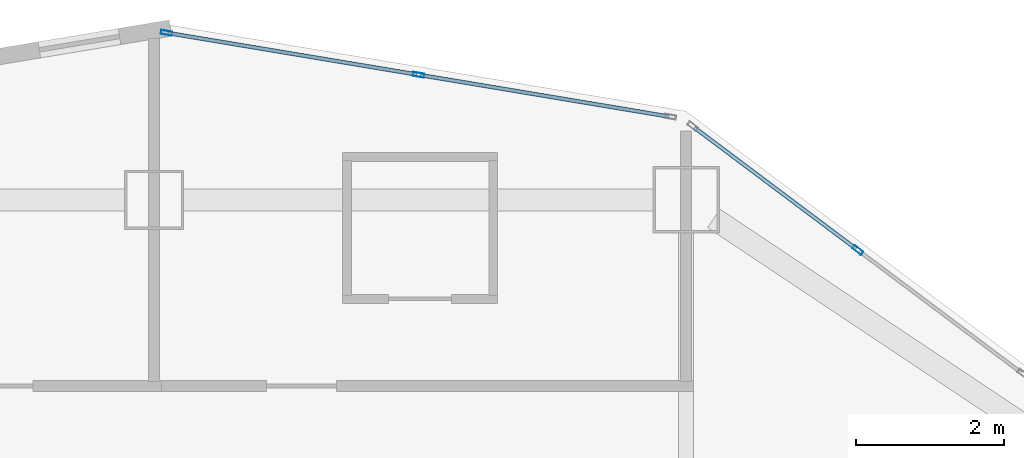
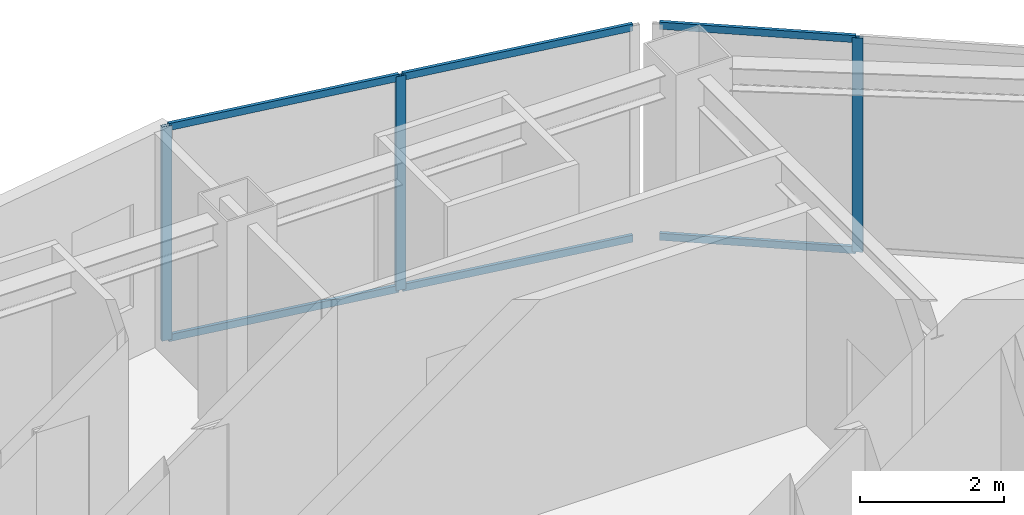
# One storey, part 2 of 11: 9 members, 2 elements without a shape of their own.
"""IFC4 building model written with IfcOpenShell, lengths in metres."""

from ifc_helpers import new_model, si_unit, direction, frame, origin, origin_2d, place, context, subcontext, project, spatial, hollow_rectangle, extrude, material, layer, layer_set, material_profile, profile_set, type_object, element, aggregate, save


model = new_model("IFC4")

# Units and contexts
model_context = context("Model", 3, precision=1e-05, world=origin(), true_north=direction((0.0, 1.0)))
body_context = subcontext(model_context, "Body", "Model", "MODEL_VIEW")
ifc_project = project(units=[si_unit("LENGTHUNIT", "METRE"), si_unit("AREAUNIT", "SQUARE_METRE"), si_unit("VOLUMEUNIT", "CUBIC_METRE"), si_unit("PLANEANGLEUNIT", "RADIAN"), si_unit("MASSUNIT", "GRAM", prefix="KILO")], contexts=[model_context])

# Site, building, storey
site_placement = place(None, origin())
site = spatial("IfcSite", under=ifc_project, at=site_placement, CompositionType="ELEMENT")
building_placement = place(site_placement, origin())
building = spatial("IfcBuilding", under=site, at=building_placement, Name="Haolan Belvedere Tower", CompositionType="ELEMENT")
storey_placement = place(building_placement, frame((0.0, 0.0, 191.800048828125)))
storey = spatial("IfcBuildingStorey", under=building, at=storey_placement, Name="L48", CompositionType="ELEMENT", Elevation=191.800048828125)

# Curtain wall, member
ifc_material_1 = material(Name="Anodised champagne-silver aluminium 6063-T6 and Low-E glass", Category="aluminium")
ifc_layer = layer(ifc_material_1, 0.14990234375, Name="Anodised champagne-silver aluminium 6063-T6 and Low-E glass")
ifc_layer_set = layer_set([ifc_layer], Name="Anodised champagne-silver aluminium 6063-T6 and Low-E glass")
curtain_wall_type = type_object("IfcCurtainWallType", Name="CW-SYS-04", PredefinedType="NOTDEFINED", material=ifc_layer_set)
curtain_wall_1_placement = place(storey_placement, origin())
curtain_wall_1 = element("IfcCurtainWall", 1, at=curtain_wall_1_placement, inside=storey, type_object=curtain_wall_type, Name="L48 CW-SYS-04 ribbon curtain wall 20.1", PredefinedType="NOTDEFINED")
ifc_material_2 = material(Name="Anodised aluminium 6063-T6", Category="aluminium")
ifc_material_profile_1 = material_profile(ifc_material_2, hollow_rectangle(XDim=0.055908203125, YDim=0.14990234375, WallThickness=0.00390625, at=origin_2d()), Name="Anodised aluminium 6063-T6")
ifc_profile_set_1 = profile_set([ifc_material_profile_1], Name="Anodised aluminium 6063-T6")
member_type_1 = type_object("IfcMemberType", Name="CW-SYS-04-MUL", PredefinedType="MULLION", material=ifc_profile_set_1)
member_1_placement = place(storey_placement, frame((47.9228515625, 49.720458984375, 0.0), z_axis=(0.0, 0.0, 1.0), x_axis=(-0.600002837806, -0.799997871638, 0.0)))
member_1 = element("IfcMember", 2, at=member_1_placement, type_object=member_type_1, Name="CW-04 mullion 2", PredefinedType="MULLION", context=body_context, shape_type="SweptSolid", body=[
    extrude(hollow_rectangle(XDim=0.055908203125, YDim=0.14990234375, WallThickness=0.00390625, at=origin_2d()), origin(), (0.0, 0.0, 1.0), 3.619873046875),
])

# Curtain wall, members
curtain_wall_2_placement = place(storey_placement, origin())
curtain_wall_2 = element("IfcCurtainWall", 3, at=curtain_wall_2_placement, inside=storey, type_object=curtain_wall_type, Name="L48 CW-SYS-04 ribbon curtain wall 21.1", PredefinedType="NOTDEFINED")
member_2_placement = place(storey_placement, frame((41.977783203125, 52.09228515625, 0.0), z_axis=(0.0, 0.0, 1.0), x_axis=(-0.164405962825, -0.98639276122, 0.0)))
member_2 = element("IfcMember", 4, at=member_2_placement, type_object=member_type_1, Name="CW-04 mullion 2", PredefinedType="MULLION", context=body_context, shape_type="SweptSolid", body=[
    extrude(hollow_rectangle(XDim=0.055908203125, YDim=0.14990234375, WallThickness=0.00390625, at=origin_2d()), origin(), (0.0, 0.0, 1.0), 3.619873046875),
])
member_3_placement = place(storey_placement, frame((38.565673828125, 52.660888671875, 0.0), z_axis=(0.0, 0.0, 1.0), x_axis=(-0.164405962825, -0.98639276122, 0.0)))
member_3 = element("IfcMember", 5, at=member_3_placement, type_object=member_type_1, Name="CW-04 mullion 3", PredefinedType="MULLION", context=body_context, shape_type="SweptSolid", body=[
    extrude(hollow_rectangle(XDim=0.055908203125, YDim=0.14990234375, WallThickness=0.00390625, at=origin_2d()), origin(), (0.0, 0.0, 1.0), 3.619873046875),
])

# Member
ifc_material_profile_2 = material_profile(ifc_material_2, hollow_rectangle(XDim=0.052001953125, YDim=0.1201171875, WallThickness=0.00390625, at=origin_2d()), Name="Anodised aluminium 6063-T6")
ifc_profile_set_2 = profile_set([ifc_material_profile_2], Name="Anodised aluminium 6063-T6")
member_type_2 = type_object("IfcMemberType", Name="CW-SYS-04-TRN", PredefinedType="USERDEFINED", material=ifc_profile_set_2)
member_4_placement = place(storey_placement, frame((47.900390625, 49.7373046875, 0.02587890625), z_axis=(-0.799978576274, 0.600028563905, 0.0), x_axis=(-0.600028563905, -0.799978576274, 0.0)))
member_4 = element("IfcMember", 6, at=member_4_placement, type_object=member_type_2, Name="CW-04 transom 2.1", ObjectType="TRANSOM", PredefinedType="USERDEFINED", context=body_context, shape_type="SweptSolid", body=[
    extrude(hollow_rectangle(XDim=0.052001953125, YDim=0.1201171875, WallThickness=0.00390625, at=origin_2d()), origin(), (0.0, 0.0, 1.0), 2.735107421875),
])

member_5_placement = place(storey_placement, frame((47.900390625, 49.7373046875, 3.593994140625), z_axis=(-0.799978576274, 0.600028563905, 0.0), x_axis=(-0.600028563905, -0.799978576274, 0.0)))
member_5 = element("IfcMember", 7, at=member_5_placement, type_object=member_type_2, Name="CW-04 transom 2.2", ObjectType="TRANSOM", PredefinedType="USERDEFINED", context=body_context, shape_type="SweptSolid", body=[
    extrude(hollow_rectangle(XDim=0.052001953125, YDim=0.1201171875, WallThickness=0.00390625, at=origin_2d()), origin(), (0.0, 0.0, 1.0), 2.735107421875),
])

aggregate(curtain_wall_1, [member_1, member_4, member_5])

member_6_placement = place(storey_placement, frame((45.362060546875, 51.528076171875, 0.02587890625), z_axis=(-0.986388106252, 0.164433888976, 0.0), x_axis=(-0.164433888976, -0.986388106252, 0.0)))
member_6 = element("IfcMember", 8, at=member_6_placement, type_object=member_type_2, Name="CW-04 transom 1.1", ObjectType="TRANSOM", PredefinedType="USERDEFINED", context=body_context, shape_type="SweptSolid", body=[
    extrude(hollow_rectangle(XDim=0.052001953125, YDim=0.1201171875, WallThickness=0.00390625, at=origin_2d()), origin(), (0.0, 0.0, 1.0), 3.403076171875),
])

member_7_placement = place(storey_placement, frame((45.362060546875, 51.528076171875, 3.593994140625), z_axis=(-0.986388106252, 0.164433888976, 0.0), x_axis=(-0.164433888976, -0.986388106252, 0.0)))
member_7 = element("IfcMember", 9, at=member_7_placement, type_object=member_type_2, Name="CW-04 transom 1.2", ObjectType="TRANSOM", PredefinedType="USERDEFINED", context=body_context, shape_type="SweptSolid", body=[
    extrude(hollow_rectangle(XDim=0.052001953125, YDim=0.1201171875, WallThickness=0.00390625, at=origin_2d()), origin(), (0.0, 0.0, 1.0), 3.403076171875),
])

member_8_placement = place(storey_placement, frame((41.9501953125, 52.096923828125, 0.02587890625), z_axis=(-0.986401678227, 0.164352454169, 0.0), x_axis=(-0.164352454169, -0.986401678227, 0.0)))
member_8 = element("IfcMember", 10, at=member_8_placement, type_object=member_type_2, Name="CW-04 transom 2.1", ObjectType="TRANSOM", PredefinedType="USERDEFINED", context=body_context, shape_type="SweptSolid", body=[
    extrude(hollow_rectangle(XDim=0.052001953125, YDim=0.1201171875, WallThickness=0.00390625, at=origin_2d()), origin(), (0.0, 0.0, 1.0), 3.4033203125),
])

member_9_placement = place(storey_placement, frame((41.9501953125, 52.096923828125, 3.593994140625), z_axis=(-0.986401678227, 0.164352454169, 0.0), x_axis=(-0.164352454169, -0.986401678227, 0.0)))
member_9 = element("IfcMember", 11, at=member_9_placement, type_object=member_type_2, Name="CW-04 transom 2.2", ObjectType="TRANSOM", PredefinedType="USERDEFINED", context=body_context, shape_type="SweptSolid", body=[
    extrude(hollow_rectangle(XDim=0.052001953125, YDim=0.1201171875, WallThickness=0.00390625, at=origin_2d()), origin(), (0.0, 0.0, 1.0), 3.4033203125),
])

aggregate(curtain_wall_2, [member_2, member_3, member_6, member_7, member_8, member_9])

save(model, "model.ifc")
